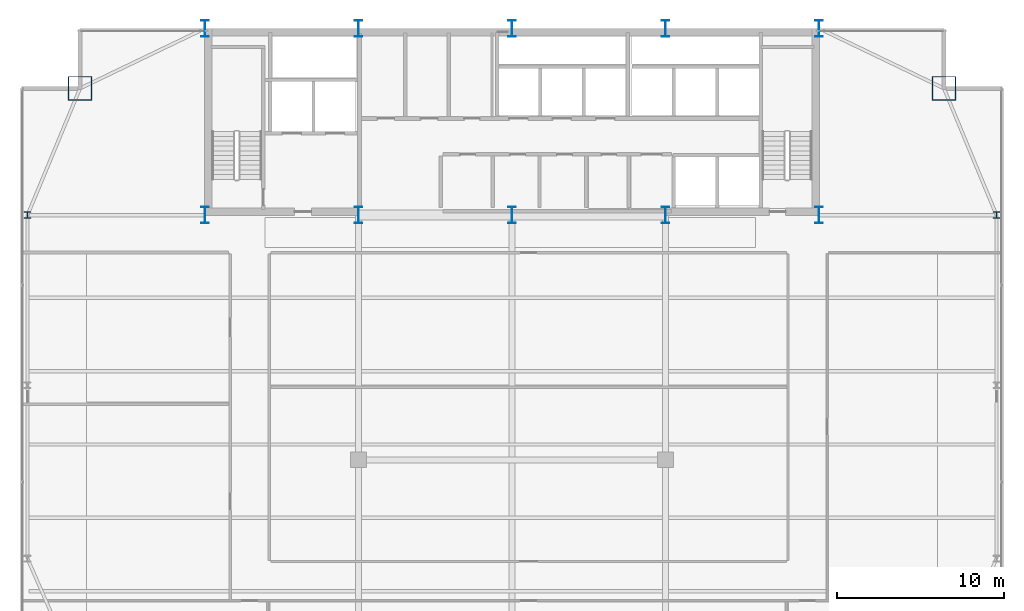
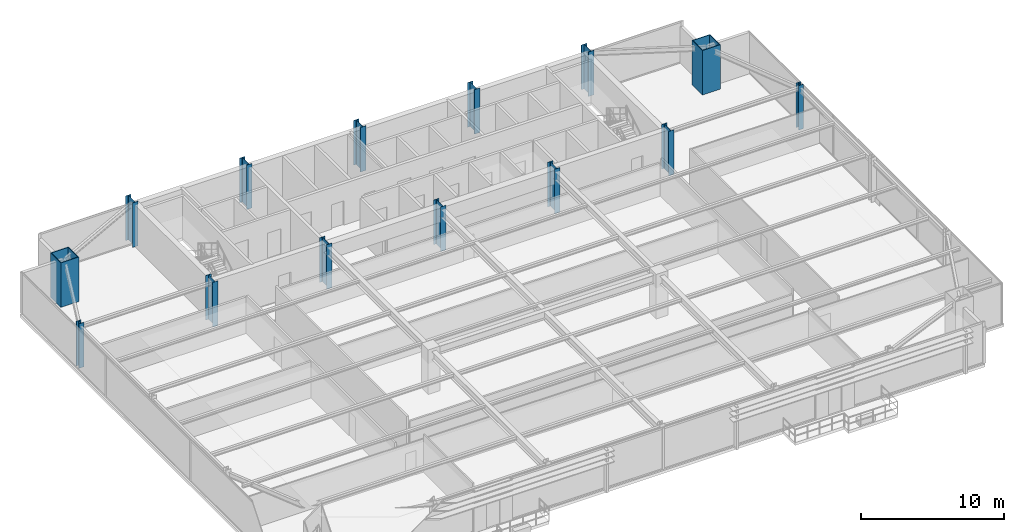
# One storey, part 2 of 34: 14 columns.
"""IFC4 building model written with IfcOpenShell, lengths in metres."""

from ifc_helpers import new_model, si_unit, direction, frame, origin, origin_2d, place, context, subcontext, project, spatial, hollow_rectangle, i_section, extrude, source, transform, mapped, material, material_profile, profile_set, type_object, type_shapes, element, save


model = new_model("IFC4")

# Units and contexts
model_context = context("Model", 3, precision=1e-05, world=origin(), true_north=direction((0.0, 1.0)))
body_context = subcontext(model_context, "Body", "Model", "MODEL_VIEW")
ifc_project = project(units=[si_unit("LENGTHUNIT", "METRE"), si_unit("AREAUNIT", "SQUARE_METRE"), si_unit("VOLUMEUNIT", "CUBIC_METRE"), si_unit("PLANEANGLEUNIT", "RADIAN"), si_unit("MASSUNIT", "GRAM", prefix="KILO")], contexts=[model_context])

# Site, building, storey
site_placement = place(None, origin())
site = spatial("IfcSite", under=ifc_project, at=site_placement, CompositionType="ELEMENT")
building_placement = place(site_placement, origin())
building = spatial("IfcBuilding", under=site, at=building_placement, Name="Varnel Quay Broadcast Tower", CompositionType="ELEMENT")
storey_placement = place(building_placement, frame((0.0, 0.0, 110.60009765625)))
storey = spatial("IfcBuildingStorey", under=building, at=storey_placement, Name="L26", CompositionType="ELEMENT", Elevation=110.60009765625)

# Columns
ifc_material_1 = material(Name="Structural Steel CSA G40.21 350WT", Category="steel")
ifc_material_profile_1 = material_profile(ifc_material_1, i_section(OverallWidth=0.449951171875, OverallDepth=1.0, WebThickness=0.01611328125, FlangeThickness=0.030029296875, FilletRadius=0.01611328125, at=origin_2d()), Name="WWF1000X362")
ifc_profile_set_1 = profile_set([ifc_material_profile_1], Name="Structural Steel CSA G40.21 350WT")
column_type_1 = type_object("IfcColumnType", Name="Col_WWF1000X362", PredefinedType="COLUMN", material=ifc_profile_set_1)
shared_shape_1 = source(origin(), body_context, "Body", "SweptSolid", [
    extrude(i_section(OverallWidth=0.449951171875, OverallDepth=1.0, WebThickness=0.01611328125, FlangeThickness=0.030029296875, FilletRadius=0.01611328125, at=origin_2d()), origin(), (0.0, 0.0, 1.0), 3.7998046875),
])
type_shapes(column_type_1, [shared_shape_1])
for number, where, z_axis, x_axis, name in (
    (1, (15.60009765625, 35.60009765625, 0.0), (0.0, 0.0, 1.0), (1.0, 0.0, 0.0), "L26 Column CC-S1"),
    (2, (15.60009765625, 46.800048828125, 0.0), (0.0, 0.0, 1.0), (1.0, 0.0, 0.0), "L26 Column CC-N1"),
    (3, (24.800048828125, 35.60009765625, 0.0), (0.0, 0.0, 1.0), (1.0, 0.0, 0.0), "L26 Column CC-S2"),
    (4, (24.800048828125, 46.800048828125, 0.0), (0.0, 0.0, 1.0), (1.0, 0.0, 0.0), "L26 Column CC-N2"),
    (5, (34.0, 35.60009765625, 0.0), (0.0, 0.0, 1.0), (1.0, 0.0, 0.0), "L26 Column CC-S3"),
    (6, (34.0, 46.800048828125, 0.0), (0.0, 0.0, 1.0), (1.0, 0.0, 0.0), "L26 Column CC-N3"),
    (7, (43.199951171875, 35.60009765625, 0.0), (0.0, 0.0, 1.0), (1.0, 0.0, 0.0), "L26 Column CC-S4"),
    (8, (43.199951171875, 46.800048828125, 0.0), (0.0, 0.0, 1.0), (1.0, 0.0, 0.0), "L26 Column CC-N4"),
    (9, (52.39990234375, 35.60009765625, 0.0), (0.0, 0.0, 1.0), (1.0, 0.0, 0.0), "L26 Column CC-S5"),
    (10, (52.39990234375, 46.800048828125, 0.0), (0.0, 0.0, 1.0), (1.0, 0.0, 0.0), "L26 Column CC-N5"),
):
    element("IfcColumn", number, at=place(storey_placement, frame(where, z_axis=z_axis, x_axis=x_axis)), inside=storey, type_object=column_type_1, Name=name, PredefinedType="COLUMN", context=body_context, shape_type="MappedRepresentation", body=[
        mapped(shared_shape_1, transform((0.0, 0.0, 0.0), x_axis=(1.0, 0.0, 0.0), y_axis=(0.0, 1.0, 0.0), z_axis=(0.0, 0.0, 1.0), scale=1.0)),
    ])
ifc_material_profile_2 = material_profile(ifc_material_1, hollow_rectangle(XDim=1.449951171875, YDim=1.449951171875, WallThickness=0.054931640625, at=origin_2d()), Name="BOX1450X1450X55")
ifc_profile_set_2 = profile_set([ifc_material_profile_2], Name="Structural Steel CSA G40.21 350WT")
column_type_2 = type_object("IfcColumnType", Name="Col_BOX1450X1450X55", PredefinedType="COLUMN", material=ifc_profile_set_2)
shared_shape_2 = source(origin(), body_context, "Body", "SweptSolid", [
    extrude(hollow_rectangle(XDim=1.449951171875, YDim=1.449951171875, WallThickness=0.054931640625, at=origin_2d()), origin(), (0.0, 0.0, 1.0), 3.7998046875),
])
type_shapes(column_type_2, [shared_shape_2])
for number, where, z_axis, x_axis, name in (
    (11, (59.89990234375, 43.199951171875, 0.0), (0.0, 0.0, 1.0), (1.0, 0.0, 0.0), "L26 Column MC-NE"),
    (12, (8.10009765625, 43.199951171875, 0.0), (0.0, 0.0, 1.0), (1.0, 0.0, 0.0), "L26 Column MC-NW"),
):
    element("IfcColumn", number, at=place(storey_placement, frame(where, z_axis=z_axis, x_axis=x_axis)), inside=storey, type_object=column_type_2, Name=name, PredefinedType="COLUMN", context=body_context, shape_type="MappedRepresentation", body=[
        mapped(shared_shape_2, transform((0.0, 0.0, 0.0), x_axis=(1.0, 0.0, 0.0), y_axis=(0.0, 1.0, 0.0), z_axis=(0.0, 0.0, 1.0), scale=1.0)),
    ])
ifc_material_2 = material(Name="Structural Steel CSA G40.21 350W", Category="steel")
ifc_material_profile_3 = material_profile(ifc_material_2, i_section(OverallWidth=0.39794921875, OverallDepth=0.386962890625, WebThickness=0.02099609375, FlangeThickness=0.033203125, FilletRadius=0.01806640625, at=origin_2d()), Name="W360X262")
ifc_profile_set_3 = profile_set([ifc_material_profile_3], Name="Structural Steel CSA G40.21 350W")
column_type_3 = type_object("IfcColumnType", Name="Col_W360X262", PredefinedType="COLUMN", material=ifc_profile_set_3)
shared_shape_3 = source(origin(), body_context, "Body", "SweptSolid", [
    extrude(i_section(OverallWidth=0.39794921875, OverallDepth=0.386962890625, WebThickness=0.02099609375, FlangeThickness=0.033203125, FilletRadius=0.01806640625, at=origin_2d()), origin(), (0.0, 0.0, 1.0), 3.7998046875),
])
type_shapes(column_type_3, [shared_shape_3])
for number, where, z_axis, x_axis, name in (
    (13, (4.949951171875, 35.60009765625, 0.0), (0.0, 0.0, 1.0), (1.0, 0.0, 0.0), "L26 Column TC-W3"),
    (14, (63.050048828125, 35.60009765625, 0.0), (0.0, 0.0, 1.0), (1.0, 0.0, 0.0), "L26 Column TC-E3"),
):
    element("IfcColumn", number, at=place(storey_placement, frame(where, z_axis=z_axis, x_axis=x_axis)), inside=storey, type_object=column_type_3, Name=name, PredefinedType="COLUMN", context=body_context, shape_type="MappedRepresentation", body=[
        mapped(shared_shape_3, transform((0.0, 0.0, 0.0), x_axis=(1.0, 0.0, 0.0), y_axis=(0.0, 1.0, 0.0), z_axis=(0.0, 0.0, 1.0), scale=1.0)),
    ])

save(model, "model.ifc")
